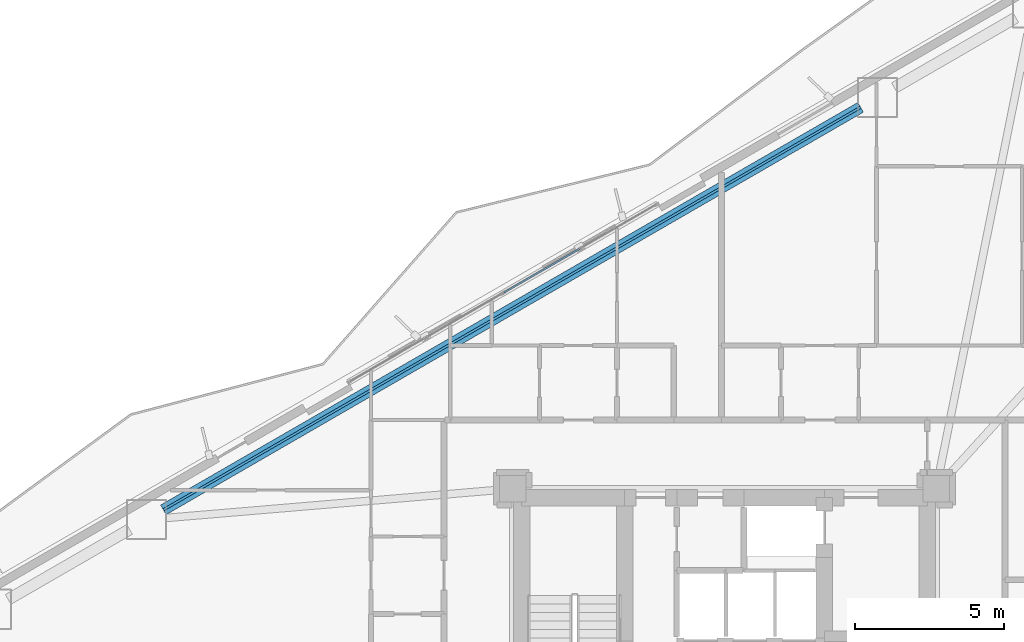
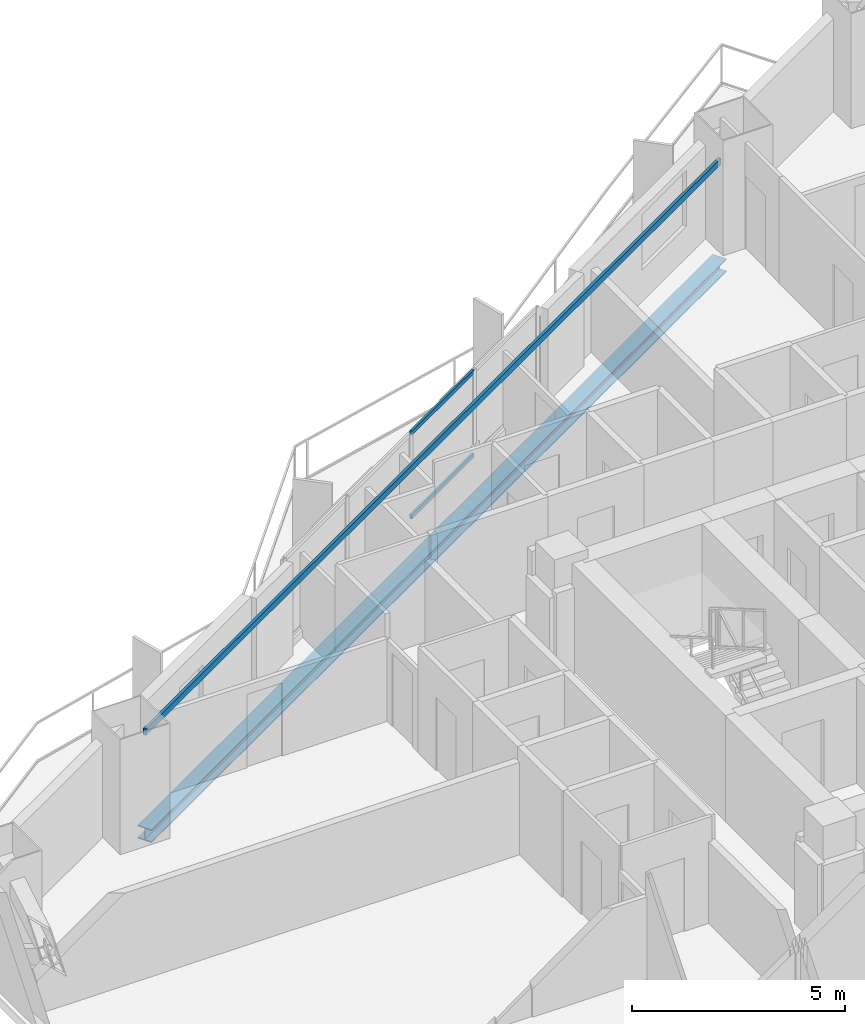
# One storey, part 8 of 18: 2 beams, 2 members, 1 element without a shape of its own.
"""IFC4 building model written with IfcOpenShell, lengths in metres."""

from ifc_helpers import new_model, si_unit, direction, frame, origin, origin_2d, place, context, subcontext, project, spatial, hollow_rectangle, i_section, extrude, material, layer, layer_set, material_profile, profile_set, type_object, element, aggregate, save


model = new_model("IFC4")

# Units and contexts
model_context = context("Model", 3, precision=1e-05, world=origin(), true_north=direction((0.0, 1.0)))
body_context = subcontext(model_context, "Body", "Model", "MODEL_VIEW")
ifc_project = project(units=[si_unit("LENGTHUNIT", "METRE"), si_unit("AREAUNIT", "SQUARE_METRE"), si_unit("VOLUMEUNIT", "CUBIC_METRE"), si_unit("PLANEANGLEUNIT", "RADIAN"), si_unit("MASSUNIT", "GRAM", prefix="KILO")], contexts=[model_context])

# Site, building, storey
site_placement = place(None, origin())
site = spatial("IfcSite", under=ifc_project, at=site_placement, CompositionType="ELEMENT")
building_placement = place(site_placement, origin())
building = spatial("IfcBuilding", under=site, at=building_placement, Name="Mersakhor Tower and Convention Hall", CompositionType="ELEMENT")
storey_placement = place(building_placement, frame((0.0, 0.0, 32.39990234375)))
storey = spatial("IfcBuildingStorey", under=building, at=storey_placement, Name="L08", CompositionType="ELEMENT", Elevation=32.39990234375)

# Beams
ifc_material_1 = material(Name="Steel S355", Category="steel")
ifc_material_profile_1 = material_profile(ifc_material_1, hollow_rectangle(XDim=0.080078125, YDim=0.179931640625, WallThickness=0.008056640625, at=origin_2d()), Name="RHS 180x80x8")
ifc_profile_set_1 = profile_set([ifc_material_profile_1], Name="Steel S355")
beam_type_1 = type_object("IfcBeamType", Name="BM-GRT-RHS180", PredefinedType="USERDEFINED", material=ifc_profile_set_1)
beam_1_placement = place(storey_placement, frame((10.183837890625, 32.341064453125, 2.47998046875), z_axis=(0.866025970279, 0.499999018801, 0.0), x_axis=(-0.499999018801, 0.866025970279, 0.0)))
element("IfcBeam", 1, at=beam_1_placement, inside=storey, type_object=beam_type_1, Name="L08 Facade Support Girt GRT-F1", ObjectType="GIRT", PredefinedType="USERDEFINED", context=body_context, shape_type="SweptSolid", body=[
    extrude(hollow_rectangle(XDim=0.080078125, YDim=0.179931640625, WallThickness=0.008056640625, at=origin_2d()), origin(), (0.0, 0.0, 1.0), 26.99951171875),
])
ifc_material_2 = material(Name="Steel S355", Category="steel")
ifc_material_profile_2 = material_profile(ifc_material_2, i_section(OverallWidth=0.374755859375, OverallDepth=0.37451171875, WebThickness=0.0166015625, FlangeThickness=0.027099609375, at=origin_2d()), Name="UC 356x368x202")
ifc_profile_set_2 = profile_set([ifc_material_profile_2], Name="Steel S355")
beam_type_2 = type_object("IfcBeamType", Name="BM-SPD-UC356", PredefinedType="SPANDREL", material=ifc_profile_set_2)
beam_2_placement = place(storey_placement, frame((10.183837890625, 32.341064453125, -0.447265625), z_axis=(0.866025970279, 0.499999018801, 0.0), x_axis=(-0.499999018801, 0.866025970279, 0.0)))
element("IfcBeam", 2, at=beam_2_placement, inside=storey, type_object=beam_type_2, Name="L08 Perimeter Spandrel Beam SPB-02", PredefinedType="SPANDREL", context=body_context, shape_type="SweptSolid", body=[
    extrude(i_section(OverallWidth=0.374755859375, OverallDepth=0.37451171875, WebThickness=0.0166015625, FlangeThickness=0.027099609375, at=origin_2d()), origin(), (0.0, 0.0, 1.0), 26.99951171875),
])

# Curtain wall, members
ifc_material_3 = material(Name="Dark solar low-E aluminium curtain wall", Category="aluminium")
ifc_layer = layer(ifc_material_3, 0.159912109375)
ifc_layer_set = layer_set([ifc_layer], Name="Dark solar low-E aluminium curtain wall")
curtain_wall_type = type_object("IfcCurtainWallType", Name="CW-SYS-01", PredefinedType="USERDEFINED", material=ifc_layer_set)
curtain_wall_placement = place(storey_placement, origin())
curtain_wall = element("IfcCurtainWall", 3, at=curtain_wall_placement, inside=storey, type_object=curtain_wall_type, Name="L08 Dark-Glass Curtain Wall F1-B2", ObjectType="CURTAIN WALL", PredefinedType="USERDEFINED")
ifc_material_4 = material(Name="Anodised aluminium EN AW-6063 T6", Category="aluminium")
ifc_material_profile_3 = material_profile(ifc_material_4, hollow_rectangle(XDim=0.06005859375, YDim=0.1201171875, WallThickness=0.0048828125, at=origin_2d()), Name="RHS 120x60x5")
ifc_profile_set_3 = profile_set([ifc_material_profile_3], Name="Anodised aluminium EN AW-6063 T6")
member_type = type_object("IfcMemberType", Name="CWT-120x60", PredefinedType="USERDEFINED", material=ifc_profile_set_3)
member_1_placement = place(storey_placement, frame((21.607421875, 39.629150390625, 0.22998046875), z_axis=(0.866015622527, 0.500016941252, 0.0), x_axis=(-0.500016941252, 0.866015622527, 0.0)))
member_1 = element("IfcMember", 4, at=member_1_placement, type_object=member_type, Name="CW-01 transom 3.1", ObjectType="TRANSOM", PredefinedType="USERDEFINED", context=body_context, shape_type="SweptSolid", body=[
    extrude(hollow_rectangle(XDim=0.06005859375, YDim=0.1201171875, WallThickness=0.0048828125, at=origin_2d()), origin(), (0.0, 0.0, 1.0), 2.91845703125),
])
member_2_placement = place(storey_placement, frame((21.607421875, 39.629150390625, 2.630126953125), z_axis=(0.866015622527, 0.500016941252, 0.0), x_axis=(-0.500016941252, 0.866015622527, 0.0)))
member_2 = element("IfcMember", 5, at=member_2_placement, type_object=member_type, Name="CW-01 transom 3.2", ObjectType="TRANSOM", PredefinedType="USERDEFINED", context=body_context, shape_type="SweptSolid", body=[
    extrude(hollow_rectangle(XDim=0.06005859375, YDim=0.1201171875, WallThickness=0.0048828125, at=origin_2d()), origin(), (0.0, 0.0, 1.0), 2.91845703125),
])
aggregate(curtain_wall, [member_1, member_2])

save(model, "model.ifc")
